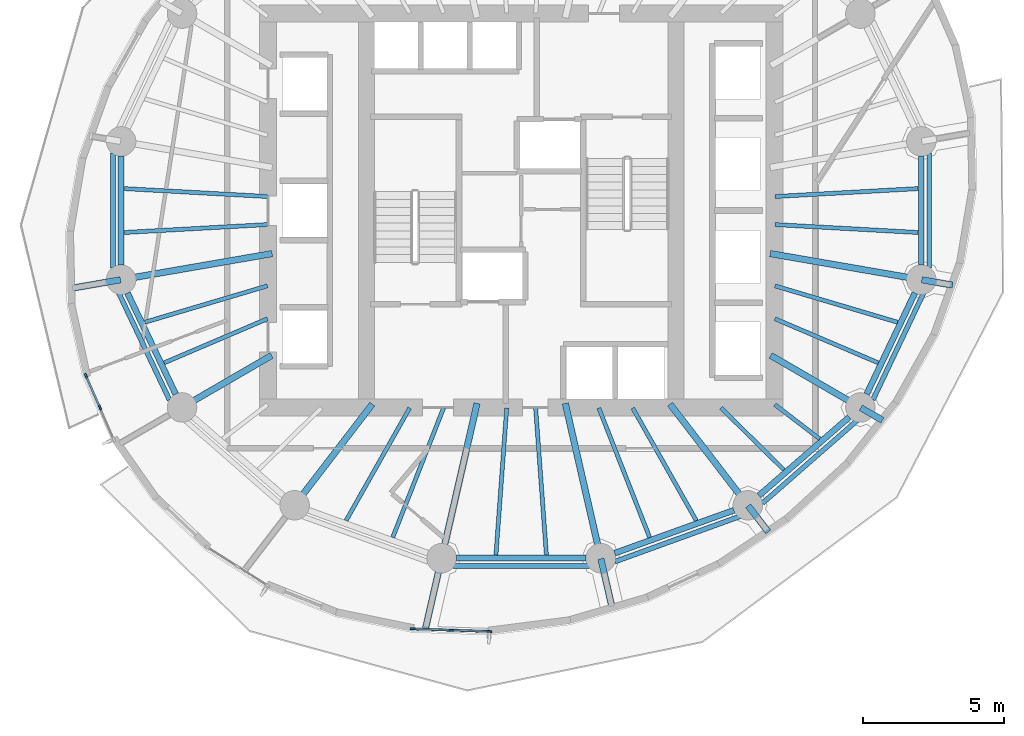
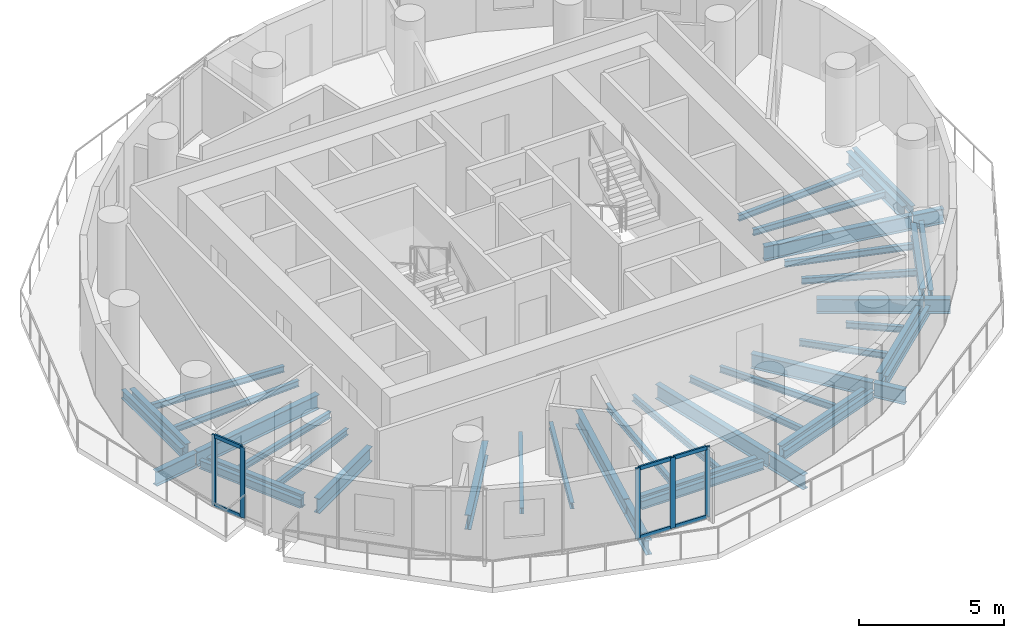
# One storey, part 2 of 13: 44 beams, 11 members, 2 elements without a shape of their own.
"""IFC4 building model written with IfcOpenShell, lengths in metres."""

import ifcopenshell
import ifcopenshell.guid

model = None  # the IFC model being written
_history = None  # IfcOwnerHistory: only IFC2X3 demands one
_inside = {}  # id of a spatial element -> (the spatial element, [elements in it])
_under = {}  # id of a project, library or spatial element -> (it, [spatial elements below it])
_declared = {}  # id of a project -> (the project, [libraries it declares])
_typed = {}  # id of a type object -> (the type object, [elements of that type])
_made_of = {}  # id of a material, layer set ... -> (it, [elements and type objects made of it])


def new_model(schema):
    """Start an empty IFC model of exactly this schema.

    Asked for "IFC4X3", IfcOpenShell would pick the latest addendum, in which some entities
    have other attributes; the version numbers below select the first issue.
    IFC2X3 requires an IfcOwnerHistory on every rooted entity: one is made here for all.
    """
    global model, _history
    if schema == "IFC4X3":
        model = ifcopenshell.file(schema_version=(4, 3, 0, 0))
    else:
        model = ifcopenshell.file(schema=schema)
    _inside.clear()
    _under.clear()
    _declared.clear()
    _typed.clear()
    _made_of.clear()
    _history = None
    if model.schema == "IFC2X3":
        org = make("IfcOrganization", Name="unknown")
        user = make(
            "IfcPersonAndOrganization",
            ThePerson=make("IfcPerson", FamilyName="unknown"),
            TheOrganization=org,
        )
        app = make(
            "IfcApplication",
            ApplicationDeveloper=org,
            Version="unknown",
            ApplicationFullName="unknown",
            ApplicationIdentifier="unknown",
        )
        _history = make(
            "IfcOwnerHistory",
            OwningUser=user,
            OwningApplication=app,
            ChangeAction="ADDED",
            CreationDate=0,
        )
    return model


def make(cls, **values):
    """One entity of the class cls with the attributes given. An attribute that is None is left unset."""
    return model.create_entity(
        cls, **{name: value for name, value in values.items() if value is not None}
    )


def rooted(cls, **values):
    """An entity with a GlobalId (a new one), such as an element, a storey or a relation."""
    return make(cls, GlobalId=ifcopenshell.guid.new(), OwnerHistory=_history, **values)


def si_unit(unit_type, name, prefix=None):
    """IfcSIUnit, for example si_unit("LENGTHUNIT", "METRE", prefix="MILLI")."""
    return make("IfcSIUnit", UnitType=unit_type, Prefix=prefix, Name=name)


def assignment(units):
    """IfcUnitAssignment: the units of a project."""
    return None if units is None else make("IfcUnitAssignment", Units=units)


def point(xyz):
    """IfcCartesianPoint."""
    return None if xyz is None else make("IfcCartesianPoint", Coordinates=xyz)


def direction(xyz):
    """IfcDirection."""
    return None if xyz is None else make("IfcDirection", DirectionRatios=xyz)


def frame(location, z_axis=None, x_axis=None):
    """IfcAxis2Placement3D, a coordinate frame: its origin and axes. An axis left out is left unset."""
    return make(
        "IfcAxis2Placement3D",
        Location=point(location),
        Axis=direction(z_axis),
        RefDirection=direction(x_axis),
    )


def frame_2d(location, x_axis=None):
    """IfcAxis2Placement2D, a coordinate frame in the plane: its origin and x axis."""
    return make(
        "IfcAxis2Placement2D", Location=point(location), RefDirection=direction(x_axis)
    )


def origin():
    """The frame at (0, 0, 0) with its axes left unset."""
    return frame((0.0, 0.0, 0.0))


def origin_2d():
    """The frame at (0, 0) in the plane with its x axis left unset."""
    return frame_2d((0.0, 0.0))


def place(relative_to, where):
    """IfcLocalPlacement: puts the frame where relative to a parent placement (None: the world)."""
    return make(
        "IfcLocalPlacement", PlacementRelTo=relative_to, RelativePlacement=where
    )


def context(
    kind, dimensions, precision=None, world=None, true_north=None, identifier=None
):
    """IfcGeometricRepresentationContext, for example the 3D "Model" context."""
    return make(
        "IfcGeometricRepresentationContext",
        ContextIdentifier=identifier,
        ContextType=kind,
        CoordinateSpaceDimension=dimensions,
        Precision=precision,
        WorldCoordinateSystem=world,
        TrueNorth=true_north,
    )


def subcontext(parent, identifier, kind, view, scale=None):
    """IfcGeometricRepresentationSubContext, for example "Body" below "Model"."""
    return make(
        "IfcGeometricRepresentationSubContext",
        ContextIdentifier=identifier,
        ContextType=kind,
        ParentContext=parent,
        TargetScale=scale,
        TargetView=view,
    )


def project(units=None, contexts=None):
    """IfcProject with its units and contexts."""
    return rooted(
        "IfcProject",
        Name="project",
        RepresentationContexts=contexts,
        UnitsInContext=assignment(units),
    )


def spatial(cls, under=None, at=None, **own):
    """A site, building, storey or space (cls), placed at a placement, below another one or the project."""
    s = rooted(cls, ObjectPlacement=at, **own)
    if under is not None:
        _under.setdefault(under.id(), (under, []))[1].append(s)
    return s


def profile(cls, at=None, kind="AREA", **sizes):
    """A parametric profile (cls). Its sizes go by their IFC names, for example OverallWidth=200.0."""
    return make(cls, ProfileType=kind, Position=at, **sizes)


def rectangle(**sizes):
    """IfcRectangleProfileDef."""
    return profile("IfcRectangleProfileDef", **sizes)


def i_section(**sizes):
    """IfcIShapeProfileDef."""
    return profile("IfcIShapeProfileDef", **sizes)


def extrude(swept, where, along, depth):
    """IfcExtrudedAreaSolid: the profile swept, set in the frame where, extruded along a direction by depth."""
    return make(
        "IfcExtrudedAreaSolid",
        SweptArea=swept,
        Position=where,
        ExtrudedDirection=direction(along),
        Depth=depth,
    )


def shape(context_of_items, identifier, shape_type, items):
    """IfcShapeRepresentation: the items that make up one representation, for example the "Body"."""
    return make(
        "IfcShapeRepresentation",
        ContextOfItems=context_of_items,
        RepresentationIdentifier=identifier,
        RepresentationType=shape_type,
        Items=items,
    )


def material(Name=None, Category=None):
    """IfcMaterial."""
    return make("IfcMaterial", Name=Name, Category=Category)


def material_profile(
    of_material, cross_section, Name=None, Category=None, Priority=None
):
    """IfcMaterialProfile: a cross section and its material."""
    return make(
        "IfcMaterialProfile",
        Name=Name,
        Material=of_material,
        Profile=cross_section,
        Priority=Priority,
        Category=Category,
    )


def profile_set(profiles, Name=None, composite=None):
    """IfcMaterialProfileSet."""
    return make(
        "IfcMaterialProfileSet",
        Name=Name,
        MaterialProfiles=profiles,
        CompositeProfile=composite,
    )


def made_of(thing, what):
    """Note that an element or type object is made of a material, layer set ...; save() writes the relation."""
    if what is not None:
        _made_of.setdefault(what.id(), (what, []))[1].append(thing)
    return thing


def type_object(cls, material=None, **own):
    """A type object (cls), such as IfcWallType, which elements share."""
    return made_of(rooted(cls, **own), material)


def element(
    cls,
    number,
    at=None,
    inside=None,
    cuts=None,
    type_object=None,
    material=None,
    context=None,
    identifier="Body",
    shape_type=None,
    held_by="IfcProductDefinitionShape",
    body=None,
    shapes=None,
    **own,
):
    """One element of the class cls, such as IfcWall. Its Tag is "e" and its number.

    at: its placement. inside: the storey or other place that contains it. cuts: it is an
    opening in that element (IfcRelVoidsElement). A single representation is given by context,
    identifier, shape_type and body (its items); several are given by shapes. held_by: the class
    of the entity that holds the representations. save() writes the other relations.
    """
    e = rooted(cls, Tag="e%d" % number, ObjectPlacement=at, **own)
    if body is not None:
        shapes = [shape(context, identifier, shape_type, body)]
    if shapes is not None:
        e.Representation = make(held_by, Representations=shapes)
    if inside is not None:
        _inside.setdefault(inside.id(), (inside, []))[1].append(e)
    if cuts is not None:
        rooted(
            "IfcRelVoidsElement", RelatingBuildingElement=cuts, RelatedOpeningElement=e
        )
    if type_object is not None:
        _typed.setdefault(type_object.id(), (type_object, []))[1].append(e)
    return made_of(e, material)


def aggregate(whole, parts):
    """IfcRelAggregates: a whole, such as a stair, and the parts it consists of."""
    return rooted("IfcRelAggregates", RelatingObject=whole, RelatedObjects=parts)


def save(model, path):
    """Write the relations noted so far, then the file.

    IfcRelAggregates (storeys below a building ...), IfcRelContainedInSpatialStructure (elements
    in a storey), IfcRelDefinesByType, IfcRelAssociatesMaterial and IfcRelDeclares: one each for
    every whole, place, type object, material and project.
    """
    for whole, parts in _under.values():
        aggregate(whole, parts)
    for where, things in _inside.values():
        rooted(
            "IfcRelContainedInSpatialStructure",
            RelatedElements=things,
            RelatingStructure=where,
        )
    for kind, things in _typed.values():
        rooted("IfcRelDefinesByType", RelatedObjects=things, RelatingType=kind)
    for what, things in _made_of.values():
        rooted("IfcRelAssociatesMaterial", RelatedObjects=things, RelatingMaterial=what)
    for by, libraries in _declared.values():
        rooted("IfcRelDeclares", RelatingContext=by, RelatedDefinitions=libraries)
    model.write(path)


model = new_model("IFC4")

# Units and contexts
model_context = context("Model", 3, precision=1e-05, world=origin(), true_north=direction((0.0, 1.0)))
body_context = subcontext(model_context, "Body", "Model", "MODEL_VIEW")
ifc_project = project(units=[si_unit("LENGTHUNIT", "METRE"), si_unit("AREAUNIT", "SQUARE_METRE"), si_unit("VOLUMEUNIT", "CUBIC_METRE"), si_unit("PLANEANGLEUNIT", "RADIAN"), si_unit("MASSUNIT", "GRAM", prefix="KILO")], contexts=[model_context])

# Site, building, storey
site_placement = place(None, origin())
site = spatial("IfcSite", under=ifc_project, at=site_placement, CompositionType="ELEMENT")
building_placement = place(site_placement, origin())
building = spatial("IfcBuilding", under=site, at=building_placement, Name="Veldorim Arch Residences", CompositionType="ELEMENT")
storey_placement = place(building_placement, frame((0.0, 0.0, 120.159912109375)))
storey = spatial("IfcBuildingStorey", under=building, at=storey_placement, Name="L35", CompositionType="ELEMENT", Elevation=120.159912109375)

# Beams
ifc_material_1 = material(Name="Steel S355", Category="steel")
ifc_material_profile_1 = material_profile(ifc_material_1, i_section(OverallWidth=0.2099609375, OverallDepth=0.53662109375, WebThickness=0.0107421875, FlangeThickness=0.017333984375, at=origin_2d()), Name="UB533x210x101")
ifc_profile_set_1 = profile_set([ifc_material_profile_1], Name="Steel S355")
beam_type_1 = type_object("IfcBeamType", Name="Structural Steel Beam UB533x210x101", PredefinedType="BEAM", material=ifc_profile_set_1)
beam_1_placement = place(storey_placement, frame((17.778564453125, 25.93310546875, -0.50830078125), z_axis=(0.0, -1.0, 0.0), x_axis=(1.0, 0.0, 0.0)))
element("IfcBeam", 1, at=beam_1_placement, inside=storey, type_object=beam_type_1, Name="L35 perimeter ring tie beam 08", PredefinedType="BEAM", context=body_context, shape_type="SweptSolid", body=[
    extrude(i_section(OverallWidth=0.2099609375, OverallDepth=0.53662109375, WebThickness=0.0107421875, FlangeThickness=0.017333984375, at=origin_2d()), origin(), (0.0, 0.0, 1.0), 3.8662109375),
])
beam_2_placement = place(storey_placement, frame((18.00439453125, 21.068115234375, -0.50830078125), z_axis=(0.43028577851, -0.902692721147, 0.0), x_axis=(0.902692721147, 0.43028577851, 0.0)))
element("IfcBeam", 2, at=beam_2_placement, inside=storey, type_object=beam_type_1, Name="L35 perimeter ring tie beam 09", PredefinedType="BEAM", context=body_context, shape_type="SweptSolid", body=[
    extrude(i_section(OverallWidth=0.2099609375, OverallDepth=0.53662109375, WebThickness=0.0107421875, FlangeThickness=0.017333984375, at=origin_2d()), origin(), (0.0, 0.0, 1.0), 3.98193359375),
])
beam_3_placement = place(storey_placement, frame((29.6962890625, 11.64208984375, -0.50830078125), z_axis=(1.0, 0.0, 0.0), x_axis=(0.0, 1.0, 0.0)))
element("IfcBeam", 3, at=beam_3_placement, inside=storey, type_object=beam_type_1, Name="L35 perimeter ring tie beam 12", PredefinedType="BEAM", context=body_context, shape_type="SweptSolid", body=[
    extrude(i_section(OverallWidth=0.2099609375, OverallDepth=0.53662109375, WebThickness=0.0107421875, FlangeThickness=0.017333984375, at=origin_2d()), origin(), (0.0, 0.0, 1.0), 4.607421875),
])
beam_4_placement = place(storey_placement, frame((35.32275390625, 11.81982421875, -0.50830078125), z_axis=(0.940899155006, 0.338686846673, 0.0), x_axis=(-0.338686846673, 0.940899155006, 0.0)))
element("IfcBeam", 4, at=beam_4_placement, inside=storey, type_object=beam_type_1, Name="L35 perimeter ring tie beam 13", PredefinedType="BEAM", context=body_context, shape_type="SweptSolid", body=[
    extrude(i_section(OverallWidth=0.2099609375, OverallDepth=0.53662109375, WebThickness=0.0107421875, FlangeThickness=0.017333984375, at=origin_2d()), origin(), (0.0, 0.0, 1.0), 4.50537109375),
])
beam_5_placement = place(storey_placement, frame((40.4521484375, 13.867919921875, -0.50830078125), z_axis=(0.754810789581, 0.655942582802, 0.0), x_axis=(-0.655942582802, 0.754810789581, 0.0)))
element("IfcBeam", 5, at=beam_5_placement, inside=storey, type_object=beam_type_1, Name="L35 perimeter ring tie beam 14", PredefinedType="BEAM", context=body_context, shape_type="SweptSolid", body=[
    extrude(i_section(OverallWidth=0.2099609375, OverallDepth=0.53662109375, WebThickness=0.0107421875, FlangeThickness=0.017333984375, at=origin_2d()), origin(), (0.0, 0.0, 1.0), 4.249755859375),
])
beam_6_placement = place(storey_placement, frame((44.2822265625, 17.4736328125, -0.50830078125), z_axis=(0.43028577851, 0.902692721147, 0.0), x_axis=(-0.902692721147, 0.43028577851, 0.0)))
element("IfcBeam", 6, at=beam_6_placement, inside=storey, type_object=beam_type_1, Name="L35 perimeter ring tie beam 15", PredefinedType="BEAM", context=body_context, shape_type="SweptSolid", body=[
    extrude(i_section(OverallWidth=0.2099609375, OverallDepth=0.53662109375, WebThickness=0.0107421875, FlangeThickness=0.017333984375, at=origin_2d()), origin(), (0.0, 0.0, 1.0), 3.98193359375),
])
beam_7_placement = place(storey_placement, frame((46.221435546875, 22.06689453125, -0.50830078125), z_axis=(0.0, 1.0, 0.0), x_axis=(-1.0, 0.0, 0.0)))
element("IfcBeam", 7, at=beam_7_placement, inside=storey, type_object=beam_type_1, Name="L35 perimeter ring tie beam 16", PredefinedType="BEAM", context=body_context, shape_type="SweptSolid", body=[
    extrude(i_section(OverallWidth=0.2099609375, OverallDepth=0.53662109375, WebThickness=0.0107421875, FlangeThickness=0.017333984375, at=origin_2d()), origin(), (0.0, 0.0, 1.0), 3.8662109375),
])
ifc_material_2 = material(Name="Steel S355", Category="steel")
ifc_material_profile_2 = material_profile(ifc_material_2, i_section(OverallWidth=0.22900390625, OverallDepth=0.6123046875, WebThickness=0.011962890625, FlangeThickness=0.01953125, at=origin_2d()), Name="UB610x229x125")
ifc_profile_set_2 = profile_set([ifc_material_profile_2], Name="Steel S355")
beam_type_2 = type_object("IfcBeamType", Name="Structural Steel Beam UB610x229x125", PredefinedType="BEAM", material=ifc_profile_set_2)
beam_8_placement = place(storey_placement, frame((23.147705078125, 22.469970703125, -0.5458984375), z_axis=(-0.985390445301, -0.170310511449, 0.0), x_axis=(0.170310511449, -0.985390445301, 0.0)))
element("IfcBeam", 8, at=beam_8_placement, inside=storey, type_object=beam_type_2, Name="L35 radial floor girder 09", PredefinedType="BEAM", context=body_context, shape_type="SweptSolid", body=[
    extrude(i_section(OverallWidth=0.22900390625, OverallDepth=0.6123046875, WebThickness=0.011962890625, FlangeThickness=0.01953125, at=origin_2d()), origin(), (0.0, 0.0, 1.0), 5.4287109375),
])
beam_9_placement = place(storey_placement, frame((17.7587890625, 21.53857421875, -0.5458984375), z_axis=(-0.985383639517, -0.170349883982, 0.0), x_axis=(0.170349883982, -0.985383639517, 0.0)))
element("IfcBeam", 9, at=beam_9_placement, inside=storey, type_object=beam_type_2, Name="L35 radial edge cantilever girder 09", PredefinedType="BEAM", context=body_context, shape_type="SweptSolid", body=[
    extrude(i_section(OverallWidth=0.22900390625, OverallDepth=0.6123046875, WebThickness=0.011962890625, FlangeThickness=0.01953125, at=origin_2d()), origin(), (0.0, 0.0, 1.0), 1.80859375),
])
beam_10_placement = place(storey_placement, frame((23.129638671875, 18.849609375, -0.5458984375), z_axis=(-0.864794546612, -0.502125872815, 0.0), x_axis=(0.502125872815, -0.864794546612, 0.0)))
element("IfcBeam", 10, at=beam_10_placement, inside=storey, type_object=beam_type_2, Name="L35 radial floor girder 10", PredefinedType="BEAM", context=body_context, shape_type="SweptSolid", body=[
    extrude(i_section(OverallWidth=0.22900390625, OverallDepth=0.6123046875, WebThickness=0.011962890625, FlangeThickness=0.01953125, at=origin_2d()), origin(), (0.0, 0.0, 1.0), 3.6640625),
])
beam_11_placement = place(storey_placement, frame((26.708740234375, 17.118896484375, -0.5458984375), z_axis=(-0.609559199361, -0.792740551804, 0.0), x_axis=(0.792740551804, -0.609559199361, 0.0)))
element("IfcBeam", 11, at=beam_11_placement, inside=storey, type_object=beam_type_2, Name="L35 radial floor girder 11", PredefinedType="BEAM", context=body_context, shape_type="SweptSolid", body=[
    extrude(i_section(OverallWidth=0.22900390625, OverallDepth=0.6123046875, WebThickness=0.011962890625, FlangeThickness=0.01953125, at=origin_2d()), origin(), (0.0, 0.0, 1.0), 4.515380859375),
])
beam_12_placement = place(storey_placement, frame((30.43115234375, 17.146240234375, -0.5458984375), z_axis=(-0.223119342184, -0.974791136164, 0.0), x_axis=(0.974791136164, -0.223119342184, 0.0)))
element("IfcBeam", 12, at=beam_12_placement, inside=storey, type_object=beam_type_2, Name="L35 radial floor girder 12", PredefinedType="BEAM", context=body_context, shape_type="SweptSolid", body=[
    extrude(i_section(OverallWidth=0.22900390625, OverallDepth=0.6123046875, WebThickness=0.011962890625, FlangeThickness=0.01953125, at=origin_2d()), origin(), (0.0, 0.0, 1.0), 5.62646484375),
])
beam_13_placement = place(storey_placement, frame((29.166748046875, 11.62255859375, -0.5458984375), z_axis=(-0.223142594035, -0.97478581377, 0.0), x_axis=(0.97478581377, -0.223142594035, 0.0)))
element("IfcBeam", 13, at=beam_13_placement, inside=storey, type_object=beam_type_2, Name="L35 radial edge cantilever girder 12", PredefinedType="BEAM", context=body_context, shape_type="SweptSolid", body=[
    extrude(i_section(OverallWidth=0.22900390625, OverallDepth=0.6123046875, WebThickness=0.011962890625, FlangeThickness=0.01953125, at=origin_2d()), origin(), (0.0, 0.0, 1.0), 2.565673828125),
])
beam_14_placement = place(storey_placement, frame((33.56884765625, 17.146240234375, -0.5458984375), z_axis=(0.223119342184, -0.974791136164, 0.0), x_axis=(0.974791136164, 0.223119342184, 0.0)))
element("IfcBeam", 14, at=beam_14_placement, inside=storey, type_object=beam_type_2, Name="L35 radial floor girder 13", PredefinedType="BEAM", context=body_context, shape_type="SweptSolid", body=[
    extrude(i_section(OverallWidth=0.22900390625, OverallDepth=0.6123046875, WebThickness=0.011962890625, FlangeThickness=0.01953125, at=origin_2d()), origin(), (0.0, 0.0, 1.0), 5.62646484375),
])
beam_15_placement = place(storey_placement, frame((34.833251953125, 11.62255859375, -0.5458984375), z_axis=(0.223186859378, -0.974775679734, 0.0), x_axis=(0.974775679734, 0.223186859378, 0.0)))
element("IfcBeam", 15, at=beam_15_placement, inside=storey, type_object=beam_type_2, Name="L35 radial edge cantilever girder 13", PredefinedType="BEAM", context=body_context, shape_type="SweptSolid", body=[
    extrude(i_section(OverallWidth=0.22900390625, OverallDepth=0.6123046875, WebThickness=0.011962890625, FlangeThickness=0.01953125, at=origin_2d()), origin(), (0.0, 0.0, 1.0), 1.8125),
])
beam_16_placement = place(storey_placement, frame((37.291259765625, 17.118896484375, -0.5458984375), z_axis=(0.609559199361, -0.792740551804, 0.0), x_axis=(0.792740551804, 0.609559199361, 0.0)))
element("IfcBeam", 16, at=beam_16_placement, inside=storey, type_object=beam_type_2, Name="L35 radial floor girder 14", PredefinedType="BEAM", context=body_context, shape_type="SweptSolid", body=[
    extrude(i_section(OverallWidth=0.22900390625, OverallDepth=0.6123046875, WebThickness=0.011962890625, FlangeThickness=0.01953125, at=origin_2d()), origin(), (0.0, 0.0, 1.0), 4.515380859375),
])
beam_17_placement = place(storey_placement, frame((40.068115234375, 13.507568359375, -0.5458984375), z_axis=(0.609469636412, -0.792809411077, 0.0), x_axis=(0.792809411077, 0.609469636412, 0.0)))
element("IfcBeam", 17, at=beam_17_placement, inside=storey, type_object=beam_type_2, Name="L35 radial edge cantilever girder 14", PredefinedType="BEAM", context=body_context, shape_type="SweptSolid", body=[
    extrude(i_section(OverallWidth=0.22900390625, OverallDepth=0.6123046875, WebThickness=0.011962890625, FlangeThickness=0.01953125, at=origin_2d()), origin(), (0.0, 0.0, 1.0), 1.174560546875),
])
beam_18_placement = place(storey_placement, frame((40.870361328125, 18.849609375, -0.5458984375), z_axis=(0.864794546612, -0.502125872815, 0.0), x_axis=(0.502125872815, 0.864794546612, 0.0)))
element("IfcBeam", 18, at=beam_18_placement, inside=storey, type_object=beam_type_2, Name="L35 radial floor girder 15", PredefinedType="BEAM", context=body_context, shape_type="SweptSolid", body=[
    extrude(i_section(OverallWidth=0.22900390625, OverallDepth=0.6123046875, WebThickness=0.011962890625, FlangeThickness=0.01953125, at=origin_2d()), origin(), (0.0, 0.0, 1.0), 3.6640625),
])
beam_19_placement = place(storey_placement, frame((44.073486328125, 16.98974609375, -0.5458984375), z_axis=(0.864861987655, -0.502009703402, 0.0), x_axis=(0.502009703402, 0.864861987655, 0.0)))
element("IfcBeam", 19, at=beam_19_placement, inside=storey, type_object=beam_type_2, Name="L35 radial edge cantilever girder 15", PredefinedType="BEAM", context=body_context, shape_type="SweptSolid", body=[
    extrude(i_section(OverallWidth=0.22900390625, OverallDepth=0.6123046875, WebThickness=0.011962890625, FlangeThickness=0.01953125, at=origin_2d()), origin(), (0.0, 0.0, 1.0), 0.889404296875),
])
beam_20_placement = place(storey_placement, frame((40.852294921875, 22.469970703125, -0.5458984375), z_axis=(0.985390445301, -0.170310511449, 0.0), x_axis=(0.170310511449, 0.985390445301, 0.0)))
element("IfcBeam", 20, at=beam_20_placement, inside=storey, type_object=beam_type_2, Name="L35 radial floor girder 16", PredefinedType="BEAM", context=body_context, shape_type="SweptSolid", body=[
    extrude(i_section(OverallWidth=0.22900390625, OverallDepth=0.6123046875, WebThickness=0.011962890625, FlangeThickness=0.01953125, at=origin_2d()), origin(), (0.0, 0.0, 1.0), 5.4287109375),
])
beam_21_placement = place(storey_placement, frame((46.2412109375, 21.53857421875, -0.5458984375), z_axis=(0.985367514193, -0.170443134134, 0.0), x_axis=(0.170443134134, 0.985367514193, 0.0)))
element("IfcBeam", 21, at=beam_21_placement, inside=storey, type_object=beam_type_2, Name="L35 radial edge cantilever girder 16", PredefinedType="BEAM", context=body_context, shape_type="SweptSolid", body=[
    extrude(i_section(OverallWidth=0.22900390625, OverallDepth=0.6123046875, WebThickness=0.011962890625, FlangeThickness=0.01953125, at=origin_2d()), origin(), (0.0, 0.0, 1.0), 1.113037109375),
])
ifc_material_3 = material(Name="Steel S355", Category="steel")
ifc_material_profile_3 = material_profile(ifc_material_3, i_section(OverallWidth=0.146484375, OverallDepth=0.256103515625, WebThickness=0.00634765625, FlangeThickness=0.010986328125, at=origin_2d()), Name="UB254x146x37")
ifc_profile_set_3 = profile_set([ifc_material_profile_3], Name="Steel S355")
beam_type_3 = type_object("IfcBeamType", Name="Structural Steel Joist UB254x146x37", PredefinedType="JOIST", material=ifc_profile_set_3)
for number, where, z_axis, x_axis, name in (
    (22, (22.97998046875, 24.498779296875, -0.367919921875), (-0.998472994317, 0.055242009562, 0.0), (-0.055242009562, -0.998472994317, 0.0), "L35 secondary radial floor joist 08-1"),
    (23, (22.97998046875, 23.501220703125, -0.367919921875), (-0.998472994317, -0.055242009562, 0.0), (0.055242009562, -0.998472994317, 0.0), "L35 secondary radial floor joist 08-2"),
):
    element("IfcBeam", number, at=place(storey_placement, frame(where, z_axis=z_axis, x_axis=x_axis)), inside=storey, type_object=beam_type_3, Name=name, PredefinedType="JOIST", context=body_context, shape_type="SweptSolid", body=[
        extrude(i_section(OverallWidth=0.146484375, OverallDepth=0.256103515625, WebThickness=0.00634765625, FlangeThickness=0.010986328125, at=origin_2d()), origin(), (0.0, 0.0, 1.0), 5.10009765625),
    ])
beam_22_placement = place(storey_placement, frame((22.980712890625, 21.322998046875, -0.367919921875), z_axis=(-0.95868163277, -0.284481154014, 0.0), x_axis=(0.284481154014, -0.95868163277, 0.0)))
element("IfcBeam", 24, at=beam_22_placement, inside=storey, type_object=beam_type_3, Name="L35 secondary radial floor joist 09-1", PredefinedType="JOIST", context=body_context, shape_type="SweptSolid", body=[
    extrude(i_section(OverallWidth=0.146484375, OverallDepth=0.256103515625, WebThickness=0.00634765625, FlangeThickness=0.010986328125, at=origin_2d()), origin(), (0.0, 0.0, 1.0), 4.54931640625),
])
beam_23_placement = place(storey_placement, frame((22.981689453125, 20.15380859375, -0.367919921875), z_axis=(-0.919823469329, -0.392332493265, 0.0), x_axis=(0.392332493265, -0.919823469329, 0.0)))
element("IfcBeam", 25, at=beam_23_placement, inside=storey, type_object=beam_type_3, Name="L35 secondary radial floor joist 09-2", PredefinedType="JOIST", context=body_context, shape_type="SweptSolid", body=[
    extrude(i_section(OverallWidth=0.146484375, OverallDepth=0.256103515625, WebThickness=0.00634765625, FlangeThickness=0.010986328125, at=origin_2d()), origin(), (0.0, 0.0, 1.0), 3.993896484375),
])
beam_24_placement = place(storey_placement, frame((28.03662109375, 16.982666015625, -0.367919921875), z_axis=(-0.491815801586, -0.870699269157, 0.0), x_axis=(0.870699269157, -0.491815801586, 0.0)))
element("IfcBeam", 26, at=beam_24_placement, inside=storey, type_object=beam_type_3, Name="L35 secondary radial floor joist 11-1", PredefinedType="JOIST", context=body_context, shape_type="SweptSolid", body=[
    extrude(i_section(OverallWidth=0.146484375, OverallDepth=0.256103515625, WebThickness=0.00634765625, FlangeThickness=0.010986328125, at=origin_2d()), origin(), (0.0, 0.0, 1.0), 4.59814453125),
])
beam_25_placement = place(storey_placement, frame((29.2412109375, 16.9814453125, -0.367919921875), z_axis=(-0.365777738491, -0.930702232739, 0.0), x_axis=(0.930702232739, -0.365777738491, 0.0)))
element("IfcBeam", 27, at=beam_25_placement, inside=storey, type_object=beam_type_3, Name="L35 secondary radial floor joist 11-2", PredefinedType="JOIST", context=body_context, shape_type="SweptSolid", body=[
    extrude(i_section(OverallWidth=0.146484375, OverallDepth=0.256103515625, WebThickness=0.00634765625, FlangeThickness=0.010986328125, at=origin_2d()), origin(), (0.0, 0.0, 1.0), 4.9404296875),
])
for number, where, z_axis, x_axis, name in (
    (28, (31.48583984375, 16.97998046875, -0.367919921875), (-0.073060364166, -0.997327520521, 0.0), (0.997327520521, -0.073060364166, 0.0), "L35 secondary radial floor joist 12-1"),
    (29, (32.51416015625, 16.97998046875, -0.367919921875), (0.073060364166, -0.997327520521, 0.0), (0.997327520521, 0.073060364166, 0.0), "L35 secondary radial floor joist 12-2"),
):
    element("IfcBeam", number, at=place(storey_placement, frame(where, z_axis=z_axis, x_axis=x_axis)), inside=storey, type_object=beam_type_3, Name=name, PredefinedType="JOIST", context=body_context, shape_type="SweptSolid", body=[
        extrude(i_section(OverallWidth=0.146484375, OverallDepth=0.256103515625, WebThickness=0.00634765625, FlangeThickness=0.010986328125, at=origin_2d()), origin(), (0.0, 0.0, 1.0), 5.242919921875),
    ])
beam_26_placement = place(storey_placement, frame((34.7587890625, 16.9814453125, -0.367919921875), z_axis=(0.365777738491, -0.930702232739, 0.0), x_axis=(0.930702232739, 0.365777738491, 0.0)))
element("IfcBeam", 30, at=beam_26_placement, inside=storey, type_object=beam_type_3, Name="L35 secondary radial floor joist 13-1", PredefinedType="JOIST", context=body_context, shape_type="SweptSolid", body=[
    extrude(i_section(OverallWidth=0.146484375, OverallDepth=0.256103515625, WebThickness=0.00634765625, FlangeThickness=0.010986328125, at=origin_2d()), origin(), (0.0, 0.0, 1.0), 4.9404296875),
])
beam_27_placement = place(storey_placement, frame((35.96337890625, 16.982666015625, -0.367919921875), z_axis=(0.491815801586, -0.870699269157, 0.0), x_axis=(0.870699269157, 0.491815801586, 0.0)))
element("IfcBeam", 31, at=beam_27_placement, inside=storey, type_object=beam_type_3, Name="L35 secondary radial floor joist 13-2", PredefinedType="JOIST", context=body_context, shape_type="SweptSolid", body=[
    extrude(i_section(OverallWidth=0.146484375, OverallDepth=0.256103515625, WebThickness=0.00634765625, FlangeThickness=0.010986328125, at=origin_2d()), origin(), (0.0, 0.0, 1.0), 4.59814453125),
])
beam_28_placement = place(storey_placement, frame((39.105712890625, 16.986083984375, -0.367919921875), z_axis=(0.711683379532, -0.702500368183, 0.0), x_axis=(0.702500368183, 0.711683379532, 0.0)))
element("IfcBeam", 32, at=beam_28_placement, inside=storey, type_object=beam_type_3, Name="L35 secondary radial floor joist 14-1", PredefinedType="JOIST", context=body_context, shape_type="SweptSolid", body=[
    extrude(i_section(OverallWidth=0.146484375, OverallDepth=0.256103515625, WebThickness=0.00634765625, FlangeThickness=0.010986328125, at=origin_2d()), origin(), (0.0, 0.0, 1.0), 3.13720703125),
])
beam_29_placement = place(storey_placement, frame((41.015869140625, 17.10302734375, -0.367919921875), z_axis=(0.794312925337, -0.607508828448, 0.0), x_axis=(0.607508828448, 0.794312925337, 0.0)))
element("IfcBeam", 33, at=beam_29_placement, inside=storey, type_object=beam_type_3, Name="L35 secondary radial floor joist 14-2", PredefinedType="JOIST", context=body_context, shape_type="SweptSolid", body=[
    extrude(i_section(OverallWidth=0.146484375, OverallDepth=0.256103515625, WebThickness=0.00634765625, FlangeThickness=0.010986328125, at=origin_2d()), origin(), (0.0, 0.0, 1.0), 2.006103515625),
])
beam_30_placement = place(storey_placement, frame((41.018310546875, 20.15380859375, -0.367919921875), z_axis=(0.919823469329, -0.392332493265, 0.0), x_axis=(0.392332493265, 0.919823469329, 0.0)))
element("IfcBeam", 34, at=beam_30_placement, inside=storey, type_object=beam_type_3, Name="L35 secondary radial floor joist 15-1", PredefinedType="JOIST", context=body_context, shape_type="SweptSolid", body=[
    extrude(i_section(OverallWidth=0.146484375, OverallDepth=0.256103515625, WebThickness=0.00634765625, FlangeThickness=0.010986328125, at=origin_2d()), origin(), (0.0, 0.0, 1.0), 3.993896484375),
])
beam_31_placement = place(storey_placement, frame((41.019287109375, 21.322998046875, -0.367919921875), z_axis=(0.95868163277, -0.284481154014, 0.0), x_axis=(0.284481154014, 0.95868163277, 0.0)))
element("IfcBeam", 35, at=beam_31_placement, inside=storey, type_object=beam_type_3, Name="L35 secondary radial floor joist 15-2", PredefinedType="JOIST", context=body_context, shape_type="SweptSolid", body=[
    extrude(i_section(OverallWidth=0.146484375, OverallDepth=0.256103515625, WebThickness=0.00634765625, FlangeThickness=0.010986328125, at=origin_2d()), origin(), (0.0, 0.0, 1.0), 4.54931640625),
])
for number, where, z_axis, x_axis, name in (
    (36, (41.02001953125, 23.501220703125, -0.367919921875), (0.998472994317, -0.055242009562, 0.0), (0.055242009562, 0.998472994317, 0.0), "L35 secondary radial floor joist 16-1"),
    (37, (41.02001953125, 24.498779296875, -0.367919921875), (0.998472994317, 0.055242009562, 0.0), (-0.055242009562, 0.998472994317, 0.0), "L35 secondary radial floor joist 16-2"),
):
    element("IfcBeam", number, at=place(storey_placement, frame(where, z_axis=z_axis, x_axis=x_axis)), inside=storey, type_object=beam_type_3, Name=name, PredefinedType="JOIST", context=body_context, shape_type="SweptSolid", body=[
        extrude(i_section(OverallWidth=0.146484375, OverallDepth=0.256103515625, WebThickness=0.00634765625, FlangeThickness=0.010986328125, at=origin_2d()), origin(), (0.0, 0.0, 1.0), 5.10009765625),
    ])
ifc_material_4 = material(Name="Steel S355", Category="steel")
ifc_material_profile_4 = material_profile(ifc_material_4, i_section(OverallWidth=0.172119140625, OverallDepth=0.35791015625, WebThickness=0.008056640625, FlangeThickness=0.012939453125, at=origin_2d()), Name="UB356x171x57")
ifc_profile_set_4 = profile_set([ifc_material_profile_4], Name="Steel S355")
beam_type_4 = type_object("IfcBeamType", Name="Structural Steel Spandrel UB356x171x57", PredefinedType="SPANDREL", material=ifc_profile_set_4)
beam_32_placement = place(storey_placement, frame((17.494140625, 26.04541015625, -0.43896484375), z_axis=(0.0, -1.0, 0.0), x_axis=(1.0, 0.0, 0.0)))
element("IfcBeam", 38, at=beam_32_placement, inside=storey, type_object=beam_type_4, Name="L35 perimeter chord spandrel beam 08", PredefinedType="SPANDREL", context=body_context, shape_type="SweptSolid", body=[
    extrude(i_section(OverallWidth=0.172119140625, OverallDepth=0.35791015625, WebThickness=0.008056640625, FlangeThickness=0.012939453125, at=origin_2d()), origin(), (0.0, 0.0, 1.0), 4.0908203125),
])
beam_33_placement = place(storey_placement, frame((17.692138671875, 21.0751953125, -0.43896484375), z_axis=(0.428579957662, -0.903503857153, 0.0), x_axis=(0.903503857153, 0.428579957662, 0.0)))
element("IfcBeam", 39, at=beam_33_placement, inside=storey, type_object=beam_type_4, Name="L35 perimeter chord spandrel beam 09", PredefinedType="SPANDREL", context=body_context, shape_type="SweptSolid", body=[
    extrude(i_section(OverallWidth=0.172119140625, OverallDepth=0.35791015625, WebThickness=0.008056640625, FlangeThickness=0.012939453125, at=origin_2d()), origin(), (0.0, 0.0, 1.0), 4.209228515625),
])
beam_34_placement = place(storey_placement, frame((29.56884765625, 11.360595703125, -0.43896484375), z_axis=(1.0, 0.0, 0.0), x_axis=(0.0, 1.0, 0.0)))
element("IfcBeam", 40, at=beam_34_placement, inside=storey, type_object=beam_type_4, Name="L35 perimeter chord spandrel beam 12", PredefinedType="SPANDREL", context=body_context, shape_type="SweptSolid", body=[
    extrude(i_section(OverallWidth=0.172119140625, OverallDepth=0.35791015625, WebThickness=0.008056640625, FlangeThickness=0.012939453125, at=origin_2d()), origin(), (0.0, 0.0, 1.0), 4.8623046875),
])
beam_35_placement = place(storey_placement, frame((35.32763671875, 11.51806640625, -0.43896484375), z_axis=(0.940212553113, 0.340588248429, 0.0), x_axis=(-0.340588248429, 0.940212553113, 0.0)))
element("IfcBeam", 41, at=beam_35_placement, inside=storey, type_object=beam_type_4, Name="L35 perimeter chord spandrel beam 13", PredefinedType="SPANDREL", context=body_context, shape_type="SweptSolid", body=[
    extrude(i_section(OverallWidth=0.172119140625, OverallDepth=0.35791015625, WebThickness=0.008056640625, FlangeThickness=0.012939453125, at=origin_2d()), origin(), (0.0, 0.0, 1.0), 4.75390625),
])
beam_36_placement = place(storey_placement, frame((40.57958984375, 13.5986328125, -0.43896484375), z_axis=(0.753014748982, 0.658003638148, 0.0), x_axis=(-0.658003638148, 0.753014748982, 0.0)))
element("IfcBeam", 42, at=beam_36_placement, inside=storey, type_object=beam_type_4, Name="L35 perimeter chord spandrel beam 14", PredefinedType="SPANDREL", context=body_context, shape_type="SweptSolid", body=[
    extrude(i_section(OverallWidth=0.172119140625, OverallDepth=0.35791015625, WebThickness=0.008056640625, FlangeThickness=0.012939453125, at=origin_2d()), origin(), (0.0, 0.0, 1.0), 4.486572265625),
])
beam_37_placement = place(storey_placement, frame((44.50390625, 17.272216796875, -0.43896484375), z_axis=(0.428579957662, 0.903503857153, 0.0), x_axis=(-0.903503857153, 0.428579957662, 0.0)))
element("IfcBeam", 43, at=beam_37_placement, inside=storey, type_object=beam_type_4, Name="L35 perimeter chord spandrel beam 15", PredefinedType="SPANDREL", context=body_context, shape_type="SweptSolid", body=[
    extrude(i_section(OverallWidth=0.172119140625, OverallDepth=0.35791015625, WebThickness=0.008056640625, FlangeThickness=0.012939453125, at=origin_2d()), origin(), (0.0, 0.0, 1.0), 4.209228515625),
])
beam_38_placement = place(storey_placement, frame((46.505859375, 21.95458984375, -0.43896484375), z_axis=(0.0, 1.0, 0.0), x_axis=(-1.0, 0.0, 0.0)))
element("IfcBeam", 44, at=beam_38_placement, inside=storey, type_object=beam_type_4, Name="L35 perimeter chord spandrel beam 16", PredefinedType="SPANDREL", context=body_context, shape_type="SweptSolid", body=[
    extrude(i_section(OverallWidth=0.172119140625, OverallDepth=0.35791015625, WebThickness=0.008056640625, FlangeThickness=0.012939453125, at=origin_2d()), origin(), (0.0, 0.0, 1.0), 4.0908203125),
])

# Curtain wall, members
ifc_material_5 = material(Name="Aluminium", Category="aluminium")
curtain_wall_type = type_object("IfcCurtainWallType", Name="Zone 3 High-Wind Unitised Curtain Wall", PredefinedType="NOTDEFINED", material=ifc_material_5)
curtain_wall_1_placement = place(storey_placement, origin())
curtain_wall_1 = element("IfcCurtainWall", 45, at=curtain_wall_1_placement, inside=storey, type_object=curtain_wall_type, Name="L35 unitised curtain wall bay 18", PredefinedType="NOTDEFINED")
ifc_material_6 = material(Name="Aluminium", Category="aluminium")
ifc_material_profile_5 = material_profile(ifc_material_6, rectangle(XDim=0.070068359375, YDim=0.179931640625, at=origin_2d()), Name="ALU_MUL_70x180")
ifc_profile_set_5 = profile_set([ifc_material_profile_5], Name="Aluminium")
member_type_1 = type_object("IfcMemberType", Name="Zone 3 High-Wind Unitised Curtain Wall Mullion 70x180", PredefinedType="MULLION", material=ifc_profile_set_5)
member_1_placement = place(storey_placement, frame((17.024658203125, 16.99853515625, 0.0), z_axis=(0.0, 0.0, 1.0), x_axis=(-0.915986984333, -0.401207981642, 0.0)))
member_1 = element("IfcMember", 46, at=member_1_placement, type_object=member_type_1, Name="CW-Z3 mullion 2", PredefinedType="MULLION", context=body_context, shape_type="SweptSolid", body=[
    extrude(rectangle(XDim=0.070068359375, YDim=0.179931640625, at=origin_2d()), origin(), (0.0, 0.0, 1.0), 2.960205078125),
])
member_2_placement = place(storey_placement, frame((16.530517578125, 18.127197265625, 0.0), z_axis=(0.0, 0.0, 1.0), x_axis=(-0.915986984333, -0.401207981642, 0.0)))
member_2 = element("IfcMember", 47, at=member_2_placement, type_object=member_type_1, Name="CW-Z3 mullion 3", PredefinedType="MULLION", context=body_context, shape_type="SweptSolid", body=[
    extrude(rectangle(XDim=0.070068359375, YDim=0.179931640625, at=origin_2d()), origin(), (0.0, 0.0, 1.0), 2.960205078125),
])

curtain_wall_2_placement = place(storey_placement, origin())
curtain_wall_2 = element("IfcCurtainWall", 48, at=curtain_wall_2_placement, inside=storey, type_object=curtain_wall_type, Name="L35 unitised curtain wall bay 24", PredefinedType="NOTDEFINED")
member_3_placement = place(storey_placement, frame((30.8662109375, 9.036865234375, 0.0), z_axis=(0.0, 0.0, 1.0), x_axis=(-0.03374300459, -0.99943054268, 0.0)))
member_3 = element("IfcMember", 49, at=member_3_placement, type_object=member_type_1, Name="CW-Z3 mullion 1", PredefinedType="MULLION", context=body_context, shape_type="SweptSolid", body=[
    extrude(rectangle(XDim=0.070068359375, YDim=0.179931640625, at=origin_2d()), origin(), (0.0, 0.0, 1.0), 2.960205078125),
])
member_4_placement = place(storey_placement, frame((29.50634765625, 9.082763671875, 0.0), z_axis=(0.0, 0.0, 1.0), x_axis=(-0.03374300459, -0.99943054268, 0.0)))
member_4 = element("IfcMember", 50, at=member_4_placement, type_object=member_type_1, Name="CW-Z3 mullion 2", PredefinedType="MULLION", context=body_context, shape_type="SweptSolid", body=[
    extrude(rectangle(XDim=0.070068359375, YDim=0.179931640625, at=origin_2d()), origin(), (0.0, 0.0, 1.0), 2.960205078125),
])
member_5_placement = place(storey_placement, frame((28.146240234375, 9.128662109375, 0.0), z_axis=(0.0, 0.0, 1.0), x_axis=(-0.03374300459, -0.99943054268, 0.0)))
member_5 = element("IfcMember", 51, at=member_5_placement, type_object=member_type_1, Name="CW-Z3 mullion 3", PredefinedType="MULLION", context=body_context, shape_type="SweptSolid", body=[
    extrude(rectangle(XDim=0.070068359375, YDim=0.179931640625, at=origin_2d()), origin(), (0.0, 0.0, 1.0), 2.960205078125),
])

# Member
ifc_material_7 = material(Name="Aluminium", Category="aluminium")
ifc_material_profile_6 = material_profile(ifc_material_7, rectangle(XDim=0.070068359375, YDim=0.155029296875, at=origin_2d()), Name="ALU_TRN_70x155")
ifc_profile_set_6 = profile_set([ifc_material_profile_6], Name="Aluminium")
member_type_2 = type_object("IfcMemberType", Name="Zone 3 High-Wind Unitised Curtain Wall Transom 70x155", PredefinedType="USERDEFINED", material=ifc_profile_set_6)
member_6_placement = place(storey_placement, frame((17.0107421875, 17.03076171875, 0.03515625), z_axis=(-0.401336846164, 0.915930530068, 0.0), x_axis=(-0.915930530068, -0.401336846164, 0.0)))
member_6 = element("IfcMember", 52, at=member_6_placement, type_object=member_type_2, Name="CW-Z3 transom 2.1", ObjectType="TRANSOM", PredefinedType="USERDEFINED", context=body_context, shape_type="SweptSolid", body=[
    extrude(rectangle(XDim=0.070068359375, YDim=0.155029296875, at=origin_2d()), origin(), (0.0, 0.0, 1.0), 1.161865234375),
])

member_7_placement = place(storey_placement, frame((17.0107421875, 17.03076171875, 2.925048828125), z_axis=(-0.401336846164, 0.915930530068, 0.0), x_axis=(-0.915930530068, -0.401336846164, 0.0)))
member_7 = element("IfcMember", 53, at=member_7_placement, type_object=member_type_2, Name="CW-Z3 transom 2.2", ObjectType="TRANSOM", PredefinedType="USERDEFINED", context=body_context, shape_type="SweptSolid", body=[
    extrude(rectangle(XDim=0.070068359375, YDim=0.155029296875, at=origin_2d()), origin(), (0.0, 0.0, 1.0), 1.161865234375),
])

aggregate(curtain_wall_1, [member_1, member_2, member_6, member_7])

member_8_placement = place(storey_placement, frame((30.831298828125, 9.037841796875, 0.03515625), z_axis=(-0.999426706713, 0.033856430829, 0.0), x_axis=(-0.033856430829, -0.999426706713, 0.0)))
member_8 = element("IfcMember", 54, at=member_8_placement, type_object=member_type_2, Name="CW-Z3 transom 1.1", ObjectType="TRANSOM", PredefinedType="USERDEFINED", context=body_context, shape_type="SweptSolid", body=[
    extrude(rectangle(XDim=0.070068359375, YDim=0.155029296875, at=origin_2d()), origin(), (0.0, 0.0, 1.0), 1.290771484375),
])

member_9_placement = place(storey_placement, frame((30.831298828125, 9.037841796875, 2.925048828125), z_axis=(-0.999426706713, 0.033856430829, 0.0), x_axis=(-0.033856430829, -0.999426706713, 0.0)))
member_9 = element("IfcMember", 55, at=member_9_placement, type_object=member_type_2, Name="CW-Z3 transom 1.2", ObjectType="TRANSOM", PredefinedType="USERDEFINED", context=body_context, shape_type="SweptSolid", body=[
    extrude(rectangle(XDim=0.070068359375, YDim=0.155029296875, at=origin_2d()), origin(), (0.0, 0.0, 1.0), 1.290771484375),
])

member_10_placement = place(storey_placement, frame((29.47119140625, 9.083984375, 0.03515625), z_axis=(-0.999433088901, 0.033667503752, 0.0), x_axis=(-0.033667503752, -0.999433088901, 0.0)))
member_10 = element("IfcMember", 56, at=member_10_placement, type_object=member_type_2, Name="CW-Z3 transom 2.1", ObjectType="TRANSOM", PredefinedType="USERDEFINED", context=body_context, shape_type="SweptSolid", body=[
    extrude(rectangle(XDim=0.070068359375, YDim=0.155029296875, at=origin_2d()), origin(), (0.0, 0.0, 1.0), 1.290771484375),
])

member_11_placement = place(storey_placement, frame((29.47119140625, 9.083984375, 2.925048828125), z_axis=(-0.999433088901, 0.033667503752, 0.0), x_axis=(-0.033667503752, -0.999433088901, 0.0)))
member_11 = element("IfcMember", 57, at=member_11_placement, type_object=member_type_2, Name="CW-Z3 transom 2.2", ObjectType="TRANSOM", PredefinedType="USERDEFINED", context=body_context, shape_type="SweptSolid", body=[
    extrude(rectangle(XDim=0.070068359375, YDim=0.155029296875, at=origin_2d()), origin(), (0.0, 0.0, 1.0), 1.290771484375),
])

aggregate(curtain_wall_2, [member_3, member_4, member_5, member_8, member_9, member_10, member_11])

save(model, "model.ifc")
